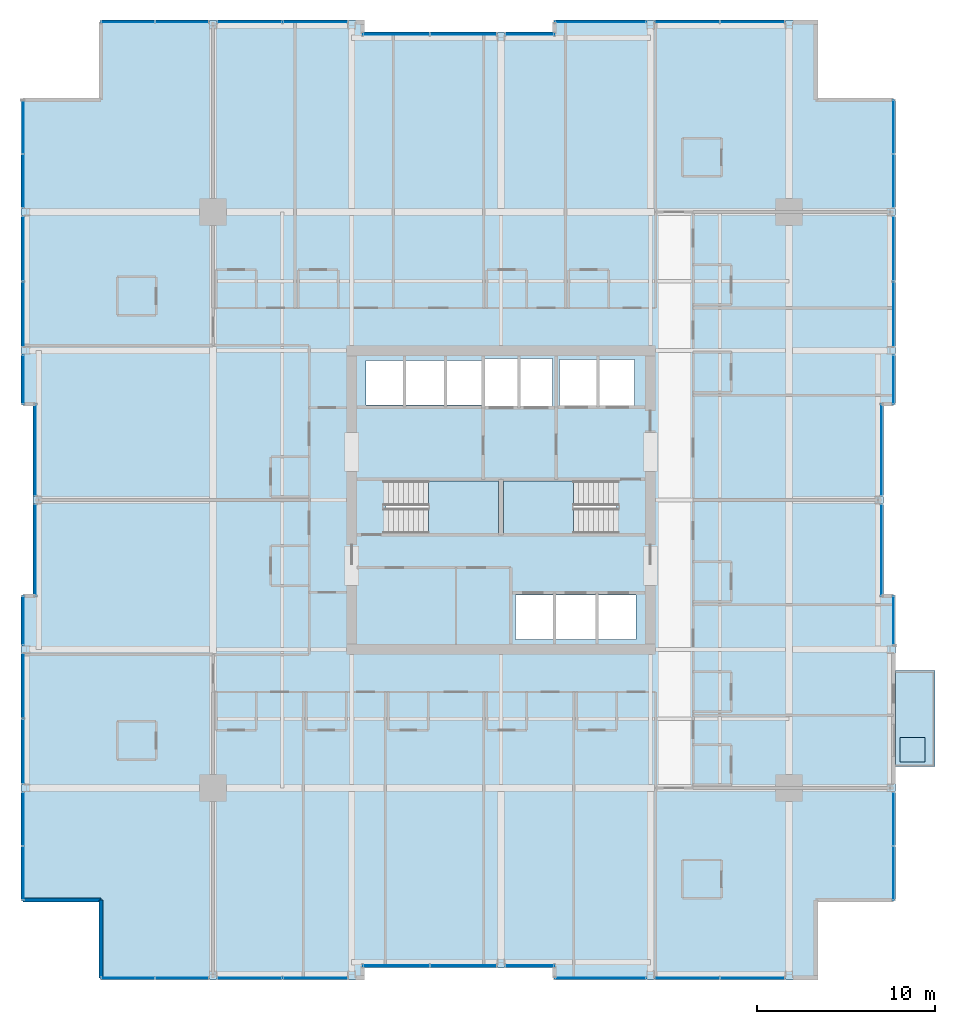
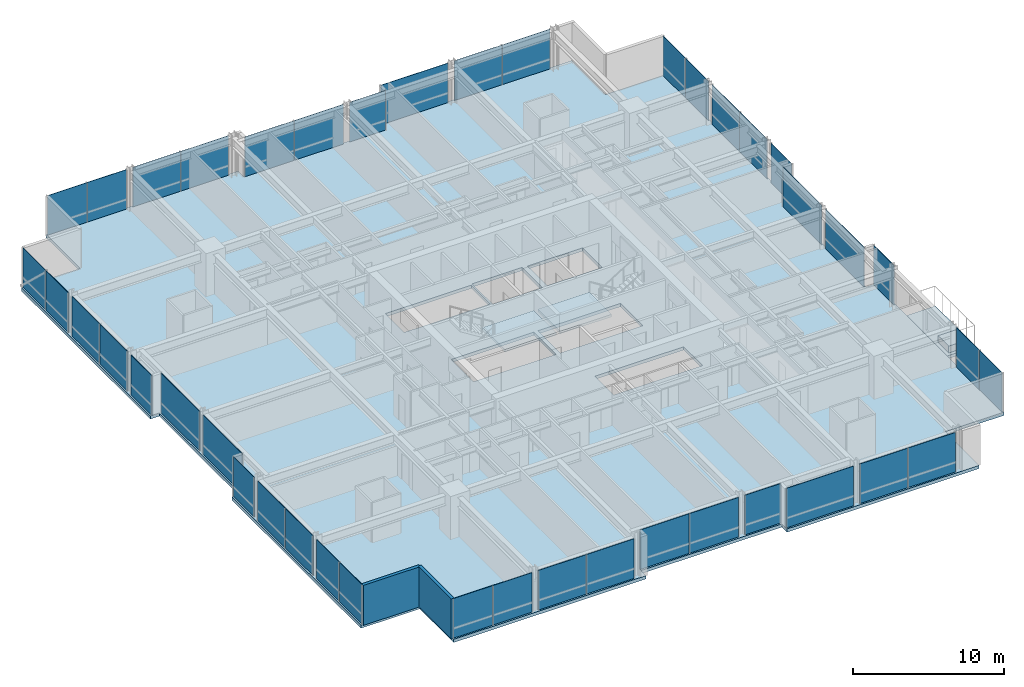
# One storey, part 27 of 34: 42 plates, 5 slabs, 2 walls, 29 elements without a shape of their own.
"""IFC4 building model written with IfcOpenShell, lengths in metres."""

from ifc_helpers import new_model, si_unit, direction, frame, frame_2d, origin, origin_2d, place, context, subcontext, project, spatial, polyline, rectangle, outline, extrude, material, layer, layer_set, type_object, element, aggregate, save


model = new_model("IFC4")

# Units and contexts
model_context = context("Model", 3, precision=1e-05, world=origin(), true_north=direction((0.0, 1.0)))
body_context = subcontext(model_context, "Body", "Model", "MODEL_VIEW")
ifc_project = project(units=[si_unit("LENGTHUNIT", "METRE"), si_unit("AREAUNIT", "SQUARE_METRE"), si_unit("VOLUMEUNIT", "CUBIC_METRE"), si_unit("PLANEANGLEUNIT", "RADIAN"), si_unit("MASSUNIT", "GRAM", prefix="KILO")], contexts=[model_context])

# Site, building, storey
site_placement = place(None, origin())
site = spatial("IfcSite", under=ifc_project, at=site_placement, CompositionType="ELEMENT")
building_placement = place(site_placement, origin())
building = spatial("IfcBuilding", under=site, at=building_placement, Name="Drelvath Grand Hotel", CompositionType="ELEMENT")
storey_placement = place(building_placement, frame((0.0, 0.0, 91.800048828125)))
storey = spatial("IfcBuildingStorey", under=building, at=storey_placement, Name="L22", CompositionType="ELEMENT", Elevation=91.800048828125)

# Slabs
ifc_material_1 = material(Name="Concrete f'c 40 MPa", Category="concrete")
ifc_layer_1 = layer(ifc_material_1, 0.239990234375)
ifc_layer_set_1 = layer_set([ifc_layer_1], Name="Concrete f'c 40 MPa")
slab_type_1 = type_object("IfcSlabType", Name="Cantilevered Tree Balcony Slab 240", PredefinedType="FLOOR", material=ifc_layer_set_1)
slab_1_placement = place(storey_placement, frame((0.0, 0.0, -0.239990234375)))
element("IfcSlab", 1, at=slab_1_placement, inside=storey, type_object=slab_type_1, Name="L22 Cantilevered Tree Balcony Slab 1", PredefinedType="FLOOR", context=body_context, shape_type="SweptSolid", body=[
    extrude(outline(polyline([(22.199951171875, 12.0), (24.39990234375, 12.0), (24.39990234375, 17.39990234375), (22.199951171875, 17.39990234375), (22.199951171875, 12.0)])), origin(), (0.0, 0.0, 1.0), 0.239990234375),
])
ifc_layer_2 = layer(ifc_material_1, 0.260009765625)
ifc_layer_set_2 = layer_set([ifc_layer_2], Name="Concrete f'c 40 MPa")
slab_type_2 = type_object("IfcSlabType", Name="Composite RC Floor Slab 260", PredefinedType="FLOOR", material=ifc_layer_set_2)
slab_2_placement = place(storey_placement, frame((0.0, 0.0, -0.260009765625)))
element("IfcSlab", 2, at=slab_2_placement, inside=storey, type_object=slab_type_2, Name="L22 Structural Floor Slab", PredefinedType="FLOOR", context=body_context, shape_type="SweptSolid", body=[
    extrude(outline(polyline([(-22.5, 0.0), (-7.800048828125, 0.0), (-7.800048828125, 0.679931640625), (3.0, 0.679931640625), (3.0, 0.0), (17.699951171875, 0.0), (17.699951171875, 4.5), (22.199951171875, 4.5), (22.199951171875, 21.60009765625), (21.52001953125, 21.60009765625), (21.52001953125, 32.39990234375), (22.199951171875, 32.39990234375), (22.199951171875, 49.5), (17.699951171875, 49.5), (17.699951171875, 54.0), (3.0, 54.0), (3.0, 53.320068359375), (-7.800048828125, 53.320068359375), (-7.800048828125, 54.0), (-22.5, 54.0), (-22.5, 49.5), (-27.0, 49.5), (-27.0, 32.39990234375), (-26.320068359375, 32.39990234375), (-26.320068359375, 21.60009765625), (-27.0, 21.60009765625), (-27.0, 4.5), (-22.5, 4.5), (-22.5, 0.0)]), holes=[polyline([(-6.47998046875, 25.1201171875), (-6.47998046875, 28.080078125), (-0.14990234375, 28.080078125), (-0.14990234375, 25.1201171875), (-6.47998046875, 25.1201171875)]), polyline([(0.14990234375, 25.1201171875), (0.14990234375, 28.080078125), (6.47998046875, 28.080078125), (6.47998046875, 25.1201171875), (0.14990234375, 25.1201171875)]), polyline([(0.800048828125, 19.14990234375), (0.800048828125, 21.64990234375), (7.60009765625, 21.64990234375), (7.60009765625, 19.14990234375), (0.800048828125, 19.14990234375)]), polyline([(-7.60009765625, 32.35009765625), (-7.60009765625, 34.85009765625), (-1.02001953125, 34.85009765625), (-1.02001953125, 32.35009765625), (-7.60009765625, 32.35009765625)]), polyline([(-0.89990234375, 32.25), (-0.89990234375, 34.949951171875), (2.89990234375, 34.949951171875), (2.89990234375, 32.25), (-0.89990234375, 32.25)]), polyline([(3.300048828125, 32.300048828125), (3.300048828125, 34.89990234375), (7.5, 34.89990234375), (7.5, 32.300048828125), (3.300048828125, 32.300048828125)])]), origin(), (0.0, 0.0, 1.0), 0.260009765625),
])

# Stair, slab
ifc_material_2 = material(Name="Concrete C40/50", Category="concrete")
stair_type = type_object("IfcStairType", Name="Dogleg Exit Stair W1400-R175.0", PredefinedType="HALF_TURN_STAIR", material=ifc_material_2)
stair_1_placement = place(storey_placement, origin())
stair_1 = element("IfcStair", 3, at=stair_1_placement, inside=storey, type_object=stair_type, Name="L22 Core Exit Stair ST-1", PredefinedType="HALF_TURN_STAIR")
ifc_layer_3 = layer(ifc_material_2, 0.199951171875)
ifc_layer_set_3 = layer_set([ifc_layer_3], Name="Concrete C40/50")
slab_type_3 = type_object("IfcSlabType", Name="Concrete Stair Landing Slab 200", PredefinedType="LANDING", material=ifc_layer_set_3)
slab_3_placement = place(storey_placement, frame((0.0, 0.0, 1.550048828125)))
slab_3 = element("IfcSlab", 4, at=slab_3_placement, type_object=slab_type_3, Name="ST-1 landing 1", PredefinedType="LANDING", context=body_context, shape_type="SweptSolid", body=[
    extrude(outline(polyline([(-4.080078125, 25.1201171875), (-0.14990234375, 25.1201171875), (-0.14990234375, 28.080078125), (-4.080078125, 28.080078125), (-4.080078125, 25.1201171875)])), origin(), (0.0, 0.0, 1.0), 0.199951171875),
])
aggregate(stair_1, [slab_3])

stair_2_placement = place(storey_placement, origin())
stair_2 = element("IfcStair", 5, at=stair_2_placement, inside=storey, type_object=stair_type, Name="L22 Core Exit Stair ST-2", PredefinedType="HALF_TURN_STAIR")
slab_4_placement = place(storey_placement, frame((0.0, 0.0, 1.550048828125)))
slab_4 = element("IfcSlab", 6, at=slab_4_placement, type_object=slab_type_3, Name="ST-2 landing 1", PredefinedType="LANDING", context=body_context, shape_type="SweptSolid", body=[
    extrude(outline(polyline([(4.080078125, 28.080078125), (0.14990234375, 28.080078125), (0.14990234375, 25.1201171875), (4.080078125, 25.1201171875), (4.080078125, 28.080078125)])), origin(), (0.0, 0.0, 1.0), 0.199951171875),
])
aggregate(stair_2, [slab_4])

# Curtain wall, plates
ifc_material_3 = material(Name="Champagne Bronze Anodised Aluminium Frame", Category="aluminium")
ifc_layer_4 = layer(ifc_material_3, 0.199951171875)
ifc_layer_set_4 = layer_set([ifc_layer_4], Name="Champagne Bronze Anodised Aluminium Frame")
curtain_wall_type = type_object("IfcCurtainWallType", Name="Stick Curtain Wall CW-03 Champagne Bronze Mid-Rise", PredefinedType="NOTDEFINED", material=ifc_layer_set_4)
curtain_wall_1_placement = place(storey_placement, origin())
curtain_wall_1 = element("IfcCurtainWall", 7, at=curtain_wall_1_placement, inside=storey, type_object=curtain_wall_type, Name="L22 CW-03 Curtain Wall CW03-L22-WS1", PredefinedType="NOTDEFINED")
ifc_material_4 = material(Name="Low-E Triple Silver Vision Glass Neutral", Category="glass")
ifc_layer_5 = layer(ifc_material_4, 0.035888671875)
ifc_layer_set_5 = layer_set([ifc_layer_5], Name="Low-E Triple Silver Vision Glass Neutral")
plate_type = type_object("IfcPlateType", Name="Curtain Wall Vision Panel CW-03 36mm", PredefinedType="CURTAIN_PANEL", material=ifc_layer_set_5)
plate_1_placement = place(storey_placement, frame((-26.8798828125, 6.02001953125, 0.02001953125), z_axis=(0.0, 0.0, 1.0), x_axis=(0.0, 1.0, 0.0)))
plate_1 = element("IfcPlate", 8, at=plate_1_placement, type_object=plate_type, Name="CW03-L22-WS1 Glazed Panel 1", PredefinedType="CURTAIN_PANEL", context=body_context, shape_type="SweptSolid", body=[
    extrude(rectangle(XDim=3.000244140625, YDim=0.035888671875, at=origin_2d()), origin(), (0.0, 0.0, 1.0), 3.199951171875),
])
plate_2_placement = place(storey_placement, frame((-26.8798828125, 9.060302734375, 0.02001953125), z_axis=(0.0, 0.0, 1.0), x_axis=(0.0, 1.0, 0.0)))
plate_2 = element("IfcPlate", 9, at=plate_2_placement, type_object=plate_type, Name="CW03-L22-WS1 Glazed Panel 2", PredefinedType="CURTAIN_PANEL", context=body_context, shape_type="SweptSolid", body=[
    extrude(rectangle(XDim=3.000244140625, YDim=0.035888671875, at=origin_2d()), origin(), (0.0, 0.0, 1.0), 3.199951171875),
])
aggregate(curtain_wall_1, [plate_1, plate_2])

curtain_wall_2_placement = place(storey_placement, origin())
curtain_wall_2 = element("IfcCurtainWall", 10, at=curtain_wall_2_placement, inside=storey, type_object=curtain_wall_type, Name="L22 CW-03 Curtain Wall CW03-L22-WS2", PredefinedType="NOTDEFINED")
plate_3_placement = place(storey_placement, frame((-26.8798828125, 12.85986328125, 0.02001953125), z_axis=(0.0, 0.0, 1.0), x_axis=(0.0, 1.0, 0.0)))
plate_3 = element("IfcPlate", 11, at=plate_3_placement, type_object=plate_type, Name="CW03-L22-WS2 Glazed Panel 1", PredefinedType="CURTAIN_PANEL", context=body_context, shape_type="SweptSolid", body=[
    extrude(rectangle(XDim=3.640380859375, YDim=0.035888671875, at=origin_2d()), origin(), (0.0, 0.0, 1.0), 3.199951171875),
])
plate_4_placement = place(storey_placement, frame((-26.8798828125, 16.540283203125, 0.02001953125), z_axis=(0.0, 0.0, 1.0), x_axis=(0.0, 1.0, 0.0)))
plate_4 = element("IfcPlate", 12, at=plate_4_placement, type_object=plate_type, Name="CW03-L22-WS2 Glazed Panel 2", PredefinedType="CURTAIN_PANEL", context=body_context, shape_type="SweptSolid", body=[
    extrude(rectangle(XDim=3.640380859375, YDim=0.035888671875, at=origin_2d()), origin(), (0.0, 0.0, 1.0), 3.199951171875),
])
aggregate(curtain_wall_2, [plate_3, plate_4])

# Curtain wall, plate
curtain_wall_3_placement = place(storey_placement, origin())
curtain_wall_3 = element("IfcCurtainWall", 13, at=curtain_wall_3_placement, inside=storey, type_object=curtain_wall_type, Name="L22 CW-03 Curtain Wall CW03-L22-WS3", PredefinedType="NOTDEFINED")
plate_5_placement = place(storey_placement, frame((-26.8798828125, 20.209716796875, 0.02001953125), z_axis=(0.0, 0.0, 1.0), x_axis=(0.0, 1.0, 0.0)))
plate_5 = element("IfcPlate", 14, at=plate_5_placement, type_object=plate_type, Name="CW03-L22-WS3 Glazed Panel 1", PredefinedType="CURTAIN_PANEL", context=body_context, shape_type="SweptSolid", body=[
    extrude(rectangle(XDim=2.740478515625, YDim=0.035888671875, at=origin_2d()), origin(), (0.0, 0.0, 1.0), 3.199951171875),
])
aggregate(curtain_wall_3, [plate_5])

curtain_wall_4_placement = place(storey_placement, origin())
curtain_wall_4 = element("IfcCurtainWall", 15, at=curtain_wall_4_placement, inside=storey, type_object=curtain_wall_type, Name="L22 CW-03 Curtain Wall CW03-L22-WM1", PredefinedType="NOTDEFINED")
plate_6_placement = place(storey_placement, frame((-26.199951171875, 24.190185546875, 0.02001953125), z_axis=(0.0, 0.0, 1.0), x_axis=(0.0, 1.0, 0.0)))
plate_6 = element("IfcPlate", 16, at=plate_6_placement, type_object=plate_type, Name="CW03-L22-WM1 Glazed Panel 1", PredefinedType="CURTAIN_PANEL", context=body_context, shape_type="SweptSolid", body=[
    extrude(rectangle(XDim=5.140380859375, YDim=0.035888671875, at=origin_2d()), origin(), (0.0, 0.0, 1.0), 3.199951171875),
])
aggregate(curtain_wall_4, [plate_6])

curtain_wall_5_placement = place(storey_placement, origin())
curtain_wall_5 = element("IfcCurtainWall", 17, at=curtain_wall_5_placement, inside=storey, type_object=curtain_wall_type, Name="L22 CW-03 Curtain Wall CW03-L22-WM2", PredefinedType="NOTDEFINED")
plate_7_placement = place(storey_placement, frame((-26.199951171875, 29.809814453125, 0.02001953125), z_axis=(0.0, 0.0, 1.0), x_axis=(0.0, 1.0, 0.0)))
plate_7 = element("IfcPlate", 18, at=plate_7_placement, type_object=plate_type, Name="CW03-L22-WM2 Glazed Panel 1", PredefinedType="CURTAIN_PANEL", context=body_context, shape_type="SweptSolid", body=[
    extrude(rectangle(XDim=5.140380859375, YDim=0.035888671875, at=origin_2d()), origin(), (0.0, 0.0, 1.0), 3.199951171875),
])
aggregate(curtain_wall_5, [plate_7])

curtain_wall_6_placement = place(storey_placement, origin())
curtain_wall_6 = element("IfcCurtainWall", 19, at=curtain_wall_6_placement, inside=storey, type_object=curtain_wall_type, Name="L22 CW-03 Curtain Wall CW03-L22-WN1", PredefinedType="NOTDEFINED")
plate_8_placement = place(storey_placement, frame((-26.8798828125, 33.790283203125, 0.02001953125), z_axis=(0.0, 0.0, 1.0), x_axis=(0.0, 1.0, 0.0)))
plate_8 = element("IfcPlate", 20, at=plate_8_placement, type_object=plate_type, Name="CW03-L22-WN1 Glazed Panel 1", PredefinedType="CURTAIN_PANEL", context=body_context, shape_type="SweptSolid", body=[
    extrude(rectangle(XDim=2.740478515625, YDim=0.035888671875, at=origin_2d()), origin(), (0.0, 0.0, 1.0), 3.199951171875),
])
aggregate(curtain_wall_6, [plate_8])

# Curtain wall, plates
curtain_wall_7_placement = place(storey_placement, origin())
curtain_wall_7 = element("IfcCurtainWall", 21, at=curtain_wall_7_placement, inside=storey, type_object=curtain_wall_type, Name="L22 CW-03 Curtain Wall CW03-L22-WN2", PredefinedType="NOTDEFINED")
plate_9_placement = place(storey_placement, frame((-26.8798828125, 37.459716796875, 0.02001953125), z_axis=(0.0, 0.0, 1.0), x_axis=(0.0, 1.0, 0.0)))
plate_9 = element("IfcPlate", 22, at=plate_9_placement, type_object=plate_type, Name="CW03-L22-WN2 Glazed Panel 1", PredefinedType="CURTAIN_PANEL", context=body_context, shape_type="SweptSolid", body=[
    extrude(rectangle(XDim=3.640380859375, YDim=0.035888671875, at=origin_2d()), origin(), (0.0, 0.0, 1.0), 3.199951171875),
])
plate_10_placement = place(storey_placement, frame((-26.8798828125, 41.14013671875, 0.02001953125), z_axis=(0.0, 0.0, 1.0), x_axis=(0.0, 1.0, 0.0)))
plate_10 = element("IfcPlate", 23, at=plate_10_placement, type_object=plate_type, Name="CW03-L22-WN2 Glazed Panel 2", PredefinedType="CURTAIN_PANEL", context=body_context, shape_type="SweptSolid", body=[
    extrude(rectangle(XDim=3.640380859375, YDim=0.035888671875, at=origin_2d()), origin(), (0.0, 0.0, 1.0), 3.199951171875),
])
aggregate(curtain_wall_7, [plate_9, plate_10])

curtain_wall_8_placement = place(storey_placement, origin())
curtain_wall_8 = element("IfcCurtainWall", 24, at=curtain_wall_8_placement, inside=storey, type_object=curtain_wall_type, Name="L22 CW-03 Curtain Wall CW03-L22-WN3", PredefinedType="NOTDEFINED")
plate_11_placement = place(storey_placement, frame((-26.8798828125, 44.939697265625, 0.02001953125), z_axis=(0.0, 0.0, 1.0), x_axis=(0.0, 1.0, 0.0)))
plate_11 = element("IfcPlate", 25, at=plate_11_placement, type_object=plate_type, Name="CW03-L22-WN3 Glazed Panel 1", PredefinedType="CURTAIN_PANEL", context=body_context, shape_type="SweptSolid", body=[
    extrude(rectangle(XDim=3.000244140625, YDim=0.035888671875, at=origin_2d()), origin(), (0.0, 0.0, 1.0), 3.199951171875),
])
plate_12_placement = place(storey_placement, frame((-26.8798828125, 47.97998046875, 0.02001953125), z_axis=(0.0, 0.0, 1.0), x_axis=(0.0, 1.0, 0.0)))
plate_12 = element("IfcPlate", 26, at=plate_12_placement, type_object=plate_type, Name="CW03-L22-WN3 Glazed Panel 2", PredefinedType="CURTAIN_PANEL", context=body_context, shape_type="SweptSolid", body=[
    extrude(rectangle(XDim=3.000244140625, YDim=0.035888671875, at=origin_2d()), origin(), (0.0, 0.0, 1.0), 3.199951171875),
])
aggregate(curtain_wall_8, [plate_11, plate_12])

# Curtain wall, plate
curtain_wall_9_placement = place(storey_placement, origin())
curtain_wall_9 = element("IfcCurtainWall", 27, at=curtain_wall_9_placement, inside=storey, type_object=curtain_wall_type, Name="L22 CW-03 Curtain Wall CW03-L22-EN1", PredefinedType="NOTDEFINED")
plate_13_placement = place(storey_placement, frame((22.080078125, 33.790283203125, 0.02001953125), z_axis=(0.0, 0.0, 1.0), x_axis=(0.0, -1.0, 0.0)))
plate_13 = element("IfcPlate", 28, at=plate_13_placement, type_object=plate_type, Name="CW03-L22-EN1 Glazed Panel 1", PredefinedType="CURTAIN_PANEL", context=body_context, shape_type="SweptSolid", body=[
    extrude(rectangle(XDim=2.740478515625, YDim=0.035888671875, at=origin_2d()), origin(), (0.0, 0.0, 1.0), 3.199951171875),
])
aggregate(curtain_wall_9, [plate_13])

# Curtain wall, plates
curtain_wall_10_placement = place(storey_placement, origin())
curtain_wall_10 = element("IfcCurtainWall", 29, at=curtain_wall_10_placement, inside=storey, type_object=curtain_wall_type, Name="L22 CW-03 Curtain Wall CW03-L22-EN2", PredefinedType="NOTDEFINED")
plate_14_placement = place(storey_placement, frame((22.080078125, 41.14013671875, 0.02001953125), z_axis=(0.0, 0.0, 1.0), x_axis=(0.0, -1.0, 0.0)))
plate_14 = element("IfcPlate", 30, at=plate_14_placement, type_object=plate_type, Name="CW03-L22-EN2 Glazed Panel 1", PredefinedType="CURTAIN_PANEL", context=body_context, shape_type="SweptSolid", body=[
    extrude(rectangle(XDim=3.640380859375, YDim=0.035888671875, at=origin_2d()), origin(), (0.0, 0.0, 1.0), 3.199951171875),
])
plate_15_placement = place(storey_placement, frame((22.080078125, 37.459716796875, 0.02001953125), z_axis=(0.0, 0.0, 1.0), x_axis=(0.0, -1.0, 0.0)))
plate_15 = element("IfcPlate", 31, at=plate_15_placement, type_object=plate_type, Name="CW03-L22-EN2 Glazed Panel 2", PredefinedType="CURTAIN_PANEL", context=body_context, shape_type="SweptSolid", body=[
    extrude(rectangle(XDim=3.640380859375, YDim=0.035888671875, at=origin_2d()), origin(), (0.0, 0.0, 1.0), 3.199951171875),
])
aggregate(curtain_wall_10, [plate_14, plate_15])

curtain_wall_11_placement = place(storey_placement, origin())
curtain_wall_11 = element("IfcCurtainWall", 32, at=curtain_wall_11_placement, inside=storey, type_object=curtain_wall_type, Name="L22 CW-03 Curtain Wall CW03-L22-EN3", PredefinedType="NOTDEFINED")
plate_16_placement = place(storey_placement, frame((22.080078125, 47.97998046875, 0.02001953125), z_axis=(0.0, 0.0, 1.0), x_axis=(0.0, -1.0, 0.0)))
plate_16 = element("IfcPlate", 33, at=plate_16_placement, type_object=plate_type, Name="CW03-L22-EN3 Glazed Panel 1", PredefinedType="CURTAIN_PANEL", context=body_context, shape_type="SweptSolid", body=[
    extrude(rectangle(XDim=3.000244140625, YDim=0.035888671875, at=origin_2d()), origin(), (0.0, 0.0, 1.0), 3.199951171875),
])
plate_17_placement = place(storey_placement, frame((22.080078125, 44.939697265625, 0.02001953125), z_axis=(0.0, 0.0, 1.0), x_axis=(0.0, -1.0, 0.0)))
plate_17 = element("IfcPlate", 34, at=plate_17_placement, type_object=plate_type, Name="CW03-L22-EN3 Glazed Panel 2", PredefinedType="CURTAIN_PANEL", context=body_context, shape_type="SweptSolid", body=[
    extrude(rectangle(XDim=3.000244140625, YDim=0.035888671875, at=origin_2d()), origin(), (0.0, 0.0, 1.0), 3.199951171875),
])
aggregate(curtain_wall_11, [plate_16, plate_17])

# Curtain wall, plate
curtain_wall_12_placement = place(storey_placement, origin())
curtain_wall_12 = element("IfcCurtainWall", 35, at=curtain_wall_12_placement, inside=storey, type_object=curtain_wall_type, Name="L22 CW-03 Curtain Wall CW03-L22-EM1", PredefinedType="NOTDEFINED")
plate_18_placement = place(storey_placement, frame((21.39990234375, 24.190185546875, 0.02001953125), z_axis=(0.0, 0.0, 1.0), x_axis=(0.0, -1.0, 0.0)))
plate_18 = element("IfcPlate", 36, at=plate_18_placement, type_object=plate_type, Name="CW03-L22-EM1 Glazed Panel 1", PredefinedType="CURTAIN_PANEL", context=body_context, shape_type="SweptSolid", body=[
    extrude(rectangle(XDim=5.140380859375, YDim=0.035888671875, at=origin_2d()), origin(), (0.0, 0.0, 1.0), 3.199951171875),
])
aggregate(curtain_wall_12, [plate_18])

curtain_wall_13_placement = place(storey_placement, origin())
curtain_wall_13 = element("IfcCurtainWall", 37, at=curtain_wall_13_placement, inside=storey, type_object=curtain_wall_type, Name="L22 CW-03 Curtain Wall CW03-L22-EM2", PredefinedType="NOTDEFINED")
plate_19_placement = place(storey_placement, frame((21.39990234375, 29.809814453125, 0.02001953125), z_axis=(0.0, 0.0, 1.0), x_axis=(0.0, -1.0, 0.0)))
plate_19 = element("IfcPlate", 38, at=plate_19_placement, type_object=plate_type, Name="CW03-L22-EM2 Glazed Panel 1", PredefinedType="CURTAIN_PANEL", context=body_context, shape_type="SweptSolid", body=[
    extrude(rectangle(XDim=5.140380859375, YDim=0.035888671875, at=origin_2d()), origin(), (0.0, 0.0, 1.0), 3.199951171875),
])
aggregate(curtain_wall_13, [plate_19])

# Curtain wall, plates
curtain_wall_14_placement = place(storey_placement, origin())
curtain_wall_14 = element("IfcCurtainWall", 39, at=curtain_wall_14_placement, inside=storey, type_object=curtain_wall_type, Name="L22 CW-03 Curtain Wall CW03-L22-ES1", PredefinedType="NOTDEFINED")
plate_20_placement = place(storey_placement, frame((22.080078125, 9.060302734375, 0.02001953125), z_axis=(0.0, 0.0, 1.0), x_axis=(0.0, -1.0, 0.0)))
plate_20 = element("IfcPlate", 40, at=plate_20_placement, type_object=plate_type, Name="CW03-L22-ES1 Glazed Panel 1", PredefinedType="CURTAIN_PANEL", context=body_context, shape_type="SweptSolid", body=[
    extrude(rectangle(XDim=3.000244140625, YDim=0.035888671875, at=origin_2d()), origin(), (0.0, 0.0, 1.0), 3.199951171875),
])
plate_21_placement = place(storey_placement, frame((22.080078125, 6.02001953125, 0.02001953125), z_axis=(0.0, 0.0, 1.0), x_axis=(0.0, -1.0, 0.0)))
plate_21 = element("IfcPlate", 41, at=plate_21_placement, type_object=plate_type, Name="CW03-L22-ES1 Glazed Panel 2", PredefinedType="CURTAIN_PANEL", context=body_context, shape_type="SweptSolid", body=[
    extrude(rectangle(XDim=3.000244140625, YDim=0.035888671875, at=origin_2d()), origin(), (0.0, 0.0, 1.0), 3.199951171875),
])
aggregate(curtain_wall_14, [plate_20, plate_21])

# Curtain wall, plate
curtain_wall_15_placement = place(storey_placement, origin())
curtain_wall_15 = element("IfcCurtainWall", 42, at=curtain_wall_15_placement, inside=storey, type_object=curtain_wall_type, Name="L22 CW-03 Curtain Wall CW03-L22-ES3", PredefinedType="NOTDEFINED")
plate_22_placement = place(storey_placement, frame((22.080078125, 20.209716796875, 0.02001953125), z_axis=(0.0, 0.0, 1.0), x_axis=(0.0, -1.0, 0.0)))
plate_22 = element("IfcPlate", 43, at=plate_22_placement, type_object=plate_type, Name="CW03-L22-ES3 Glazed Panel 1", PredefinedType="CURTAIN_PANEL", context=body_context, shape_type="SweptSolid", body=[
    extrude(rectangle(XDim=2.740478515625, YDim=0.035888671875, at=origin_2d()), origin(), (0.0, 0.0, 1.0), 3.199951171875),
])
aggregate(curtain_wall_15, [plate_22])

# Curtain wall, plates
curtain_wall_16_placement = place(storey_placement, origin())
curtain_wall_16 = element("IfcCurtainWall", 44, at=curtain_wall_16_placement, inside=storey, type_object=curtain_wall_type, Name="L22 CW-03 Curtain Wall CW03-L22-NW1", PredefinedType="NOTDEFINED")
plate_23_placement = place(storey_placement, frame((-20.97998046875, 53.8798828125, 0.02001953125), z_axis=(0.0, 0.0, 1.0), x_axis=(1.0, 0.0, 0.0)))
plate_23 = element("IfcPlate", 45, at=plate_23_placement, type_object=plate_type, Name="CW03-L22-NW1 Glazed Panel 1", PredefinedType="CURTAIN_PANEL", context=body_context, shape_type="SweptSolid", body=[
    extrude(rectangle(XDim=3.000244140625, YDim=0.035888671875, at=origin_2d()), origin(), (0.0, 0.0, 1.0), 3.199951171875),
])
plate_24_placement = place(storey_placement, frame((-17.939697265625, 53.8798828125, 0.02001953125), z_axis=(0.0, 0.0, 1.0), x_axis=(1.0, 0.0, 0.0)))
plate_24 = element("IfcPlate", 46, at=plate_24_placement, type_object=plate_type, Name="CW03-L22-NW1 Glazed Panel 2", PredefinedType="CURTAIN_PANEL", context=body_context, shape_type="SweptSolid", body=[
    extrude(rectangle(XDim=3.000244140625, YDim=0.035888671875, at=origin_2d()), origin(), (0.0, 0.0, 1.0), 3.199951171875),
])
aggregate(curtain_wall_16, [plate_23, plate_24])

curtain_wall_17_placement = place(storey_placement, origin())
curtain_wall_17 = element("IfcCurtainWall", 47, at=curtain_wall_17_placement, inside=storey, type_object=curtain_wall_type, Name="L22 CW-03 Curtain Wall CW03-L22-NW2", PredefinedType="NOTDEFINED")
plate_25_placement = place(storey_placement, frame((-14.14013671875, 53.8798828125, 0.02001953125), z_axis=(0.0, 0.0, 1.0), x_axis=(1.0, 0.0, 0.0)))
plate_25 = element("IfcPlate", 48, at=plate_25_placement, type_object=plate_type, Name="CW03-L22-NW2 Glazed Panel 1", PredefinedType="CURTAIN_PANEL", context=body_context, shape_type="SweptSolid", body=[
    extrude(rectangle(XDim=3.640380859375, YDim=0.035888671875, at=origin_2d()), origin(), (0.0, 0.0, 1.0), 3.199951171875),
])
plate_26_placement = place(storey_placement, frame((-10.459716796875, 53.8798828125, 0.02001953125), z_axis=(0.0, 0.0, 1.0), x_axis=(1.0, 0.0, 0.0)))
plate_26 = element("IfcPlate", 49, at=plate_26_placement, type_object=plate_type, Name="CW03-L22-NW2 Glazed Panel 2", PredefinedType="CURTAIN_PANEL", context=body_context, shape_type="SweptSolid", body=[
    extrude(rectangle(XDim=3.640380859375, YDim=0.035888671875, at=origin_2d()), origin(), (0.0, 0.0, 1.0), 3.199951171875),
])
aggregate(curtain_wall_17, [plate_25, plate_26])

curtain_wall_18_placement = place(storey_placement, origin())
curtain_wall_18 = element("IfcCurtainWall", 50, at=curtain_wall_18_placement, inside=storey, type_object=curtain_wall_type, Name="L22 CW-03 Curtain Wall CW03-L22-NM1", PredefinedType="NOTDEFINED")
plate_27_placement = place(storey_placement, frame((-5.90478515625, 53.199951171875, 0.02001953125), z_axis=(0.0, 0.0, 1.0), x_axis=(1.0, 0.0, 0.0)))
plate_27 = element("IfcPlate", 51, at=plate_27_placement, type_object=plate_type, Name="CW03-L22-NM1 Glazed Panel 1", PredefinedType="CURTAIN_PANEL", context=body_context, shape_type="SweptSolid", body=[
    extrude(rectangle(XDim=3.750244140625, YDim=0.035888671875, at=origin_2d()), origin(), (0.0, 0.0, 1.0), 3.199951171875),
])
plate_28_placement = place(storey_placement, frame((-2.11474609375, 53.199951171875, 0.02001953125), z_axis=(0.0, 0.0, 1.0), x_axis=(1.0, 0.0, 0.0)))
plate_28 = element("IfcPlate", 52, at=plate_28_placement, type_object=plate_type, Name="CW03-L22-NM1 Glazed Panel 2", PredefinedType="CURTAIN_PANEL", context=body_context, shape_type="SweptSolid", body=[
    extrude(rectangle(XDim=3.750244140625, YDim=0.035888671875, at=origin_2d()), origin(), (0.0, 0.0, 1.0), 3.199951171875),
])
aggregate(curtain_wall_18, [plate_27, plate_28])

# Curtain wall, plate
curtain_wall_19_placement = place(storey_placement, origin())
curtain_wall_19 = element("IfcCurtainWall", 53, at=curtain_wall_19_placement, inside=storey, type_object=curtain_wall_type, Name="L22 CW-03 Curtain Wall CW03-L22-NM2", PredefinedType="NOTDEFINED")
plate_29_placement = place(storey_placement, frame((1.60986328125, 53.199951171875, 0.02001953125), z_axis=(0.0, 0.0, 1.0), x_axis=(1.0, 0.0, 0.0)))
plate_29 = element("IfcPlate", 54, at=plate_29_placement, type_object=plate_type, Name="CW03-L22-NM2 Glazed Panel 1", PredefinedType="CURTAIN_PANEL", context=body_context, shape_type="SweptSolid", body=[
    extrude(rectangle(XDim=2.740478515625, YDim=0.035888671875, at=origin_2d()), origin(), (0.0, 0.0, 1.0), 3.199951171875),
])
aggregate(curtain_wall_19, [plate_29])

curtain_wall_20_placement = place(storey_placement, origin())
curtain_wall_20 = element("IfcCurtainWall", 55, at=curtain_wall_20_placement, inside=storey, type_object=curtain_wall_type, Name="L22 CW-03 Curtain Wall CW03-L22-NE1", PredefinedType="NOTDEFINED")
plate_30_placement = place(storey_placement, frame((5.590087890625, 53.8798828125, 0.02001953125), z_axis=(0.0, 0.0, 1.0), x_axis=(1.0, 0.0, 0.0)))
plate_30 = element("IfcPlate", 56, at=plate_30_placement, type_object=plate_type, Name="CW03-L22-NE1 Glazed Panel 1", PredefinedType="CURTAIN_PANEL", context=body_context, shape_type="SweptSolid", body=[
    extrude(rectangle(XDim=5.140380859375, YDim=0.035888671875, at=origin_2d()), origin(), (0.0, 0.0, 1.0), 3.199951171875),
])
aggregate(curtain_wall_20, [plate_30])

# Curtain wall, plates
curtain_wall_21_placement = place(storey_placement, origin())
curtain_wall_21 = element("IfcCurtainWall", 57, at=curtain_wall_21_placement, inside=storey, type_object=curtain_wall_type, Name="L22 CW-03 Curtain Wall CW03-L22-NE2", PredefinedType="NOTDEFINED")
plate_31_placement = place(storey_placement, frame((10.459716796875, 53.8798828125, 0.02001953125), z_axis=(0.0, 0.0, 1.0), x_axis=(1.0, 0.0, 0.0)))
plate_31 = element("IfcPlate", 58, at=plate_31_placement, type_object=plate_type, Name="CW03-L22-NE2 Glazed Panel 1", PredefinedType="CURTAIN_PANEL", context=body_context, shape_type="SweptSolid", body=[
    extrude(rectangle(XDim=3.640380859375, YDim=0.035888671875, at=origin_2d()), origin(), (0.0, 0.0, 1.0), 3.199951171875),
])
plate_32_placement = place(storey_placement, frame((14.14013671875, 53.8798828125, 0.02001953125), z_axis=(0.0, 0.0, 1.0), x_axis=(1.0, 0.0, 0.0)))
plate_32 = element("IfcPlate", 59, at=plate_32_placement, type_object=plate_type, Name="CW03-L22-NE2 Glazed Panel 2", PredefinedType="CURTAIN_PANEL", context=body_context, shape_type="SweptSolid", body=[
    extrude(rectangle(XDim=3.640380859375, YDim=0.035888671875, at=origin_2d()), origin(), (0.0, 0.0, 1.0), 3.199951171875),
])
aggregate(curtain_wall_21, [plate_31, plate_32])

# Curtain wall, plate
curtain_wall_22_placement = place(storey_placement, origin())
curtain_wall_22 = element("IfcCurtainWall", 60, at=curtain_wall_22_placement, inside=storey, type_object=curtain_wall_type, Name="L22 CW-03 Curtain Wall CW03-L22-SE1", PredefinedType="NOTDEFINED")
plate_33_placement = place(storey_placement, frame((5.590087890625, 0.1201171875, 0.02001953125), z_axis=(0.0, 0.0, 1.0), x_axis=(-1.0, 0.0, 0.0)))
plate_33 = element("IfcPlate", 61, at=plate_33_placement, type_object=plate_type, Name="CW03-L22-SE1 Glazed Panel 1", PredefinedType="CURTAIN_PANEL", context=body_context, shape_type="SweptSolid", body=[
    extrude(rectangle(XDim=5.140380859375, YDim=0.035888671875, at=origin_2d()), origin(), (0.0, 0.0, 1.0), 3.199951171875),
])
aggregate(curtain_wall_22, [plate_33])

# Curtain wall, plates
curtain_wall_23_placement = place(storey_placement, origin())
curtain_wall_23 = element("IfcCurtainWall", 62, at=curtain_wall_23_placement, inside=storey, type_object=curtain_wall_type, Name="L22 CW-03 Curtain Wall CW03-L22-SE2", PredefinedType="NOTDEFINED")
plate_34_placement = place(storey_placement, frame((14.14013671875, 0.1201171875, 0.02001953125), z_axis=(0.0, 0.0, 1.0), x_axis=(-1.0, 0.0, 0.0)))
plate_34 = element("IfcPlate", 63, at=plate_34_placement, type_object=plate_type, Name="CW03-L22-SE2 Glazed Panel 1", PredefinedType="CURTAIN_PANEL", context=body_context, shape_type="SweptSolid", body=[
    extrude(rectangle(XDim=3.640380859375, YDim=0.035888671875, at=origin_2d()), origin(), (0.0, 0.0, 1.0), 3.199951171875),
])
plate_35_placement = place(storey_placement, frame((10.459716796875, 0.1201171875, 0.02001953125), z_axis=(0.0, 0.0, 1.0), x_axis=(-1.0, 0.0, 0.0)))
plate_35 = element("IfcPlate", 64, at=plate_35_placement, type_object=plate_type, Name="CW03-L22-SE2 Glazed Panel 2", PredefinedType="CURTAIN_PANEL", context=body_context, shape_type="SweptSolid", body=[
    extrude(rectangle(XDim=3.640380859375, YDim=0.035888671875, at=origin_2d()), origin(), (0.0, 0.0, 1.0), 3.199951171875),
])
aggregate(curtain_wall_23, [plate_34, plate_35])

curtain_wall_24_placement = place(storey_placement, origin())
curtain_wall_24 = element("IfcCurtainWall", 65, at=curtain_wall_24_placement, inside=storey, type_object=curtain_wall_type, Name="L22 CW-03 Curtain Wall CW03-L22-SM1", PredefinedType="NOTDEFINED")
plate_36_placement = place(storey_placement, frame((-2.11474609375, 0.800048828125, 0.02001953125), z_axis=(0.0, 0.0, 1.0), x_axis=(-1.0, 0.0, 0.0)))
plate_36 = element("IfcPlate", 66, at=plate_36_placement, type_object=plate_type, Name="CW03-L22-SM1 Glazed Panel 1", PredefinedType="CURTAIN_PANEL", context=body_context, shape_type="SweptSolid", body=[
    extrude(rectangle(XDim=3.750244140625, YDim=0.035888671875, at=origin_2d()), origin(), (0.0, 0.0, 1.0), 3.199951171875),
])
plate_37_placement = place(storey_placement, frame((-5.90478515625, 0.800048828125, 0.02001953125), z_axis=(0.0, 0.0, 1.0), x_axis=(-1.0, 0.0, 0.0)))
plate_37 = element("IfcPlate", 67, at=plate_37_placement, type_object=plate_type, Name="CW03-L22-SM1 Glazed Panel 2", PredefinedType="CURTAIN_PANEL", context=body_context, shape_type="SweptSolid", body=[
    extrude(rectangle(XDim=3.750244140625, YDim=0.035888671875, at=origin_2d()), origin(), (0.0, 0.0, 1.0), 3.199951171875),
])
aggregate(curtain_wall_24, [plate_36, plate_37])

# Curtain wall, plate
curtain_wall_25_placement = place(storey_placement, origin())
curtain_wall_25 = element("IfcCurtainWall", 68, at=curtain_wall_25_placement, inside=storey, type_object=curtain_wall_type, Name="L22 CW-03 Curtain Wall CW03-L22-SM2", PredefinedType="NOTDEFINED")
plate_38_placement = place(storey_placement, frame((1.60986328125, 0.800048828125, 0.02001953125), z_axis=(0.0, 0.0, 1.0), x_axis=(-1.0, 0.0, 0.0)))
plate_38 = element("IfcPlate", 69, at=plate_38_placement, type_object=plate_type, Name="CW03-L22-SM2 Glazed Panel 1", PredefinedType="CURTAIN_PANEL", context=body_context, shape_type="SweptSolid", body=[
    extrude(rectangle(XDim=2.740478515625, YDim=0.035888671875, at=origin_2d()), origin(), (0.0, 0.0, 1.0), 3.199951171875),
])
aggregate(curtain_wall_25, [plate_38])

# Curtain wall, plates
curtain_wall_26_placement = place(storey_placement, origin())
curtain_wall_26 = element("IfcCurtainWall", 70, at=curtain_wall_26_placement, inside=storey, type_object=curtain_wall_type, Name="L22 CW-03 Curtain Wall CW03-L22-SW1", PredefinedType="NOTDEFINED")
plate_39_placement = place(storey_placement, frame((-17.939697265625, 0.1201171875, 0.02001953125), z_axis=(0.0, 0.0, 1.0), x_axis=(-1.0, 0.0, 0.0)))
plate_39 = element("IfcPlate", 71, at=plate_39_placement, type_object=plate_type, Name="CW03-L22-SW1 Glazed Panel 1", PredefinedType="CURTAIN_PANEL", context=body_context, shape_type="SweptSolid", body=[
    extrude(rectangle(XDim=3.000244140625, YDim=0.035888671875, at=origin_2d()), origin(), (0.0, 0.0, 1.0), 3.199951171875),
])
plate_40_placement = place(storey_placement, frame((-20.97998046875, 0.1201171875, 0.02001953125), z_axis=(0.0, 0.0, 1.0), x_axis=(-1.0, 0.0, 0.0)))
plate_40 = element("IfcPlate", 72, at=plate_40_placement, type_object=plate_type, Name="CW03-L22-SW1 Glazed Panel 2", PredefinedType="CURTAIN_PANEL", context=body_context, shape_type="SweptSolid", body=[
    extrude(rectangle(XDim=3.000244140625, YDim=0.035888671875, at=origin_2d()), origin(), (0.0, 0.0, 1.0), 3.199951171875),
])
aggregate(curtain_wall_26, [plate_39, plate_40])

curtain_wall_27_placement = place(storey_placement, origin())
curtain_wall_27 = element("IfcCurtainWall", 73, at=curtain_wall_27_placement, inside=storey, type_object=curtain_wall_type, Name="L22 CW-03 Curtain Wall CW03-L22-SW2", PredefinedType="NOTDEFINED")
plate_41_placement = place(storey_placement, frame((-10.459716796875, 0.1201171875, 0.02001953125), z_axis=(0.0, 0.0, 1.0), x_axis=(-1.0, 0.0, 0.0)))
plate_41 = element("IfcPlate", 74, at=plate_41_placement, type_object=plate_type, Name="CW03-L22-SW2 Glazed Panel 1", PredefinedType="CURTAIN_PANEL", context=body_context, shape_type="SweptSolid", body=[
    extrude(rectangle(XDim=3.640380859375, YDim=0.035888671875, at=origin_2d()), origin(), (0.0, 0.0, 1.0), 3.199951171875),
])
plate_42_placement = place(storey_placement, frame((-14.14013671875, 0.1201171875, 0.02001953125), z_axis=(0.0, 0.0, 1.0), x_axis=(-1.0, 0.0, 0.0)))
plate_42 = element("IfcPlate", 75, at=plate_42_placement, type_object=plate_type, Name="CW03-L22-SW2 Glazed Panel 2", PredefinedType="CURTAIN_PANEL", context=body_context, shape_type="SweptSolid", body=[
    extrude(rectangle(XDim=3.640380859375, YDim=0.035888671875, at=origin_2d()), origin(), (0.0, 0.0, 1.0), 3.199951171875),
])
aggregate(curtain_wall_27, [plate_41, plate_42])

# Slab
ifc_layer_6 = layer(ifc_material_1, 0.550048828125)
ifc_layer_set_6 = layer_set([ifc_layer_6], Name="Concrete f'c 40 MPa")
slab_type_4 = type_object("IfcSlabType", Name="Structural Tree Planter Box 550", PredefinedType="USERDEFINED", material=ifc_layer_set_6)
slab_5_placement = place(storey_placement, origin())
element("IfcSlab", 76, at=slab_5_placement, inside=storey, type_object=slab_type_4, Name="L22 Tree Balcony Structural Planter 1", ObjectType="PLANTER", PredefinedType="USERDEFINED", context=body_context, shape_type="SweptSolid", body=[
    extrude(outline(polyline([(22.449951171875, 12.25), (23.85009765625, 12.25), (23.85009765625, 13.64990234375), (22.449951171875, 13.64990234375), (22.449951171875, 12.25)])), origin(), (0.0, 0.0, 1.0), 0.550048828125),
])

# Walls
ifc_material_5 = material(Name="Pale-Metal Insulated Aluminium Spandrel Assembly", Category="aluminium")
ifc_layer_7 = layer(ifc_material_5, 0.239990234375)
ifc_layer_set_7 = layer_set([ifc_layer_7], Name="Pale-Metal Insulated Aluminium Spandrel Assembly")
wall_type = type_object("IfcWallType", Name="Tower Insulated Metal Spandrel Closure Wall 240", PredefinedType="STANDARD", material=ifc_layer_set_7)
for number, where, z_axis, x_axis, name in (
    (77, (-22.5, 0.1201171875, 0.0), (0.0, 0.0, 1.0), (0.0, 1.0, 0.0), "L22 Notched Corner Return Spandrel Wall CSW1"),
    (78, (-22.5, 4.5, 0.0), (0.0, 0.0, 1.0), (-1.0, 0.0, 0.0), "L22 Notched Corner Return Spandrel Wall CSW2"),
):
    element("IfcWall", number, at=place(storey_placement, frame(where, z_axis=z_axis, x_axis=x_axis)), inside=storey, type_object=wall_type, Name=name, PredefinedType="STANDARD", context=body_context, shape_type="SweptSolid", body=[
        extrude(rectangle(XDim=4.3798828125, YDim=0.239990234375, at=frame_2d((2.18994140625, 0.0))), origin(), (0.0, 0.0, 1.0), 3.239990234375),
    ])

save(model, "model.ifc")
